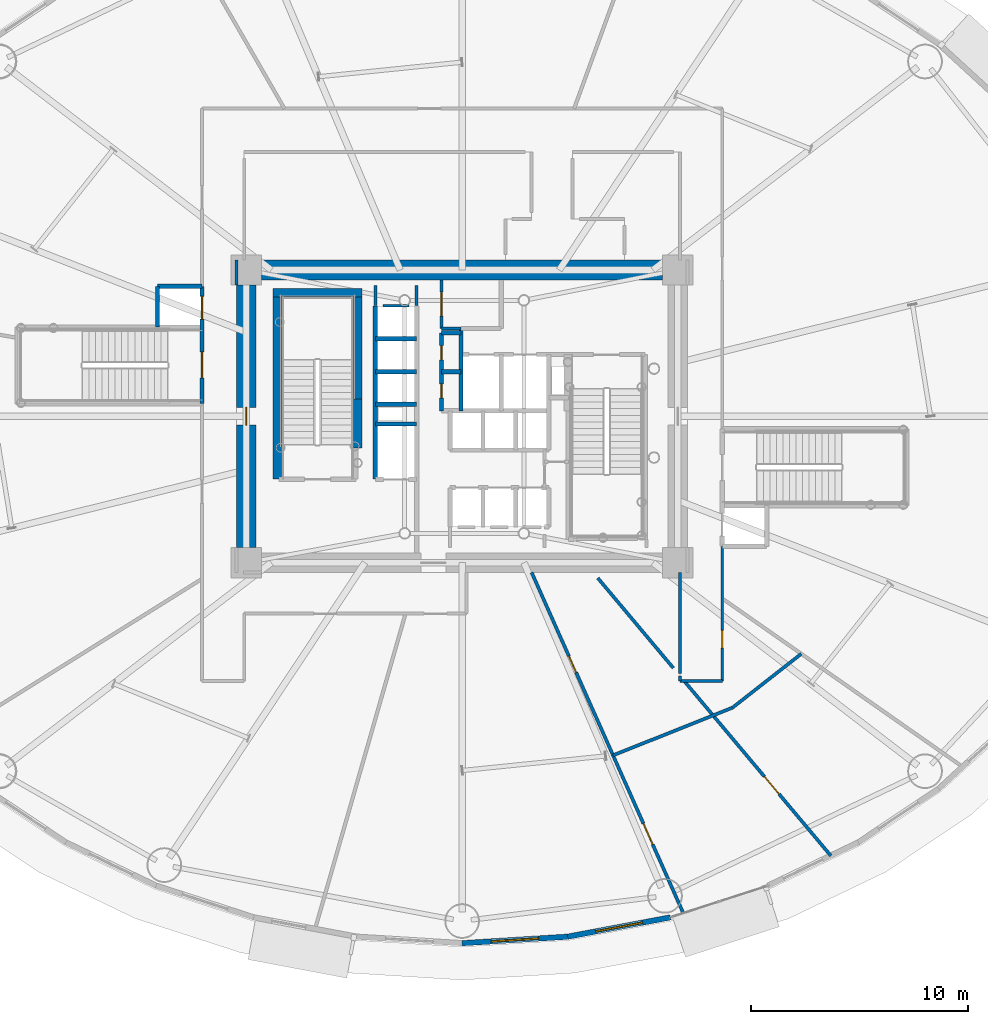
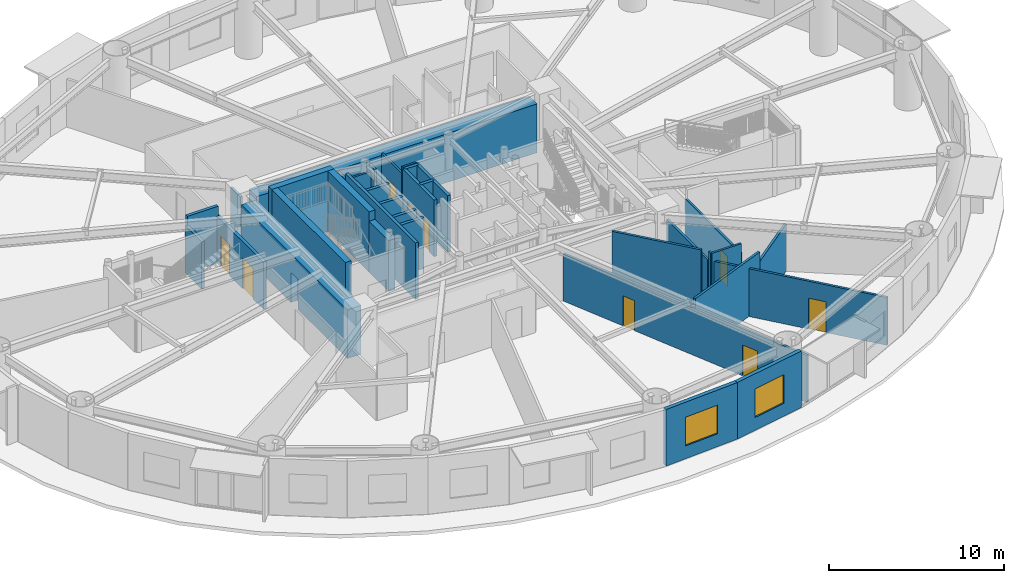
# One storey, part 20 of 35: 35 walls, 10 doors, 2 windows, 12 openings.
"""IFC4 building model written with IfcOpenShell, lengths in metres."""

from ifc_helpers import new_model, si_unit, direction, frame, frame_2d, origin, origin_2d, place, context, subcontext, project, spatial, rectangle, extrude, source, transform, mapped, material, layer, layer_set, type_object, element, fill, save


model = new_model("IFC4")

# Units and contexts
model_context = context("Model", 3, precision=1e-05, world=origin(), true_north=direction((0.0, 1.0)))
body_context = subcontext(model_context, "Body", "Model", "MODEL_VIEW")
ifc_project = project(units=[si_unit("LENGTHUNIT", "METRE"), si_unit("AREAUNIT", "SQUARE_METRE"), si_unit("VOLUMEUNIT", "CUBIC_METRE"), si_unit("PLANEANGLEUNIT", "RADIAN"), si_unit("MASSUNIT", "GRAM", prefix="KILO")], contexts=[model_context])

# Site, building, storey
site_placement = place(None, origin())
site = spatial("IfcSite", under=ifc_project, at=site_placement, CompositionType="ELEMENT")
building_placement = place(site_placement, origin())
building = spatial("IfcBuilding", under=site, at=building_placement, Name="Linh Dai School and Residence Tower", CompositionType="ELEMENT")
storey_placement = place(building_placement, frame((0.0, 0.0, 32.39990234375)))
storey = spatial("IfcBuildingStorey", under=building, at=storey_placement, Name="L07", CompositionType="ELEMENT", Elevation=32.39990234375)

# Wall, opening, window
ifc_material_1 = material(Name="Precast Concrete B45 (C35/45)", Category="concrete")
ifc_layer_1 = layer(ifc_material_1, 0.25)
ifc_layer_set_1 = layer_set([ifc_layer_1], Name="Precast Concrete B45 (C35/45)")
wall_type_1 = type_object("IfcWallType", Name="EW-TC-250", PredefinedType="SOLIDWALL", material=ifc_layer_set_1)
wall_1_placement = place(storey_placement, frame((40.865478515625, 2.994873046875, 0.0), z_axis=(0.0, 0.0, 1.0), x_axis=(-0.998106954071, -0.061502099433, 0.0)))
wall_1 = element("IfcWall", 1, at=wall_1_placement, inside=storey, type_object=wall_type_1, Name="L07 Terracotta Exterior Wall 31", PredefinedType="SOLIDWALL", context=body_context, shape_type="SweptSolid", body=[
    extrude(rectangle(XDim=4.874755859375, YDim=0.25, at=frame_2d((2.4375, 0.0))), origin(), (0.0, 0.0, 1.0), 3.9501953125),
])
opening_1_placement = place(wall_1_placement, frame((1.33740234375, 0.0, 0.89990234375)))
opening_1 = element("IfcOpeningElement", 2, at=opening_1_placement, cuts=wall_1, Name="Opening W4", PredefinedType="OPENING", context=body_context, shape_type="SweptSolid", body=[
    extrude(rectangle(XDim=2.199951171875, YDim=2.0, at=origin_2d()), frame((1.10009765625, 0.135009765625, 1.0), z_axis=(0.0, -1.0, 0.0), x_axis=(1.0, 0.0, 0.0)), (0.0, 0.0, 1.0), 0.27001953125),
])
ifc_material_2 = material(Name="Acoustic Laminated Low-E Glazing", Category="glass")
window_type = type_object("IfcWindowType", Name="WN-SCH-2200x2000", PartitioningType="TRIPLE_PANEL_VERTICAL", PredefinedType="WINDOW", material=ifc_material_2)
shared_shape_1 = source(origin(), body_context, "Body", "SweptSolid", [
    extrude(rectangle(XDim=2.199951171875, YDim=2.0, at=origin_2d()), frame((1.10009765625, 0.030029296875, 1.0), z_axis=(0.0, -1.0, 0.0), x_axis=(1.0, 0.0, 0.0)), (0.0, 0.0, 1.0), 0.06005859375),
])
window_1_placement = place(opening_1_placement, origin())
window_1 = element("IfcWindow", 3, at=window_1_placement, inside=storey, type_object=window_type, Name="L07 Exterior Window 31.1", OverallHeight=2.0, OverallWidth=2.199951171875, PartitioningType="TRIPLE_PANEL_VERTICAL", PredefinedType="WINDOW", context=body_context, shape_type="MappedRepresentation", body=[
    mapped(shared_shape_1, transform((0.0, 0.0, 0.0), x_axis=(1.0, 0.0, 0.0), y_axis=(0.0, 1.0, 0.0), z_axis=(0.0, 0.0, 1.0), scale=1.0)),
])
fill(opening_1, window_1)

wall_2_placement = place(storey_placement, frame((45.610595703125, 3.88671875, 0.0), z_axis=(0.0, 0.0, 1.0), x_axis=(-0.982791952378, -0.184715939598, 0.0)))
wall_2 = element("IfcWall", 4, at=wall_2_placement, inside=storey, type_object=wall_type_1, Name="L07 Terracotta Exterior Wall 32", PredefinedType="SOLIDWALL", context=body_context, shape_type="SweptSolid", body=[
    extrude(rectangle(XDim=4.828125, YDim=0.25, at=frame_2d((2.4140625, 0.0))), origin(), (0.0, 0.0, 1.0), 3.9501953125),
])
opening_2_placement = place(wall_2_placement, frame((1.314208984375, 0.0, 0.89990234375)))
opening_2 = element("IfcOpeningElement", 5, at=opening_2_placement, cuts=wall_2, Name="Opening W4", PredefinedType="OPENING", context=body_context, shape_type="SweptSolid", body=[
    extrude(rectangle(XDim=2.199951171875, YDim=2.0, at=origin_2d()), frame((1.10009765625, 0.135009765625, 1.0), z_axis=(0.0, -1.0, 0.0), x_axis=(1.0, 0.0, 0.0)), (0.0, 0.0, 1.0), 0.27001953125),
])
window_2_placement = place(opening_2_placement, origin())
window_2 = element("IfcWindow", 6, at=window_2_placement, inside=storey, type_object=window_type, Name="L07 Exterior Window 32.1", OverallHeight=2.0, OverallWidth=2.199951171875, PartitioningType="TRIPLE_PANEL_VERTICAL", PredefinedType="WINDOW", context=body_context, shape_type="MappedRepresentation", body=[
    mapped(shared_shape_1, transform((0.0, 0.0, 0.0), x_axis=(1.0, 0.0, 0.0), y_axis=(0.0, 1.0, 0.0), z_axis=(0.0, 0.0, 1.0), scale=1.0)),
])
fill(opening_2, window_2)

# Wall, opening, door
ifc_material_3 = material(Name="Autoclaved Aerated Concrete Blockwork", Category="masonry")
ifc_layer_2 = layer(ifc_material_3, 0.135009765625)
ifc_layer_set_2 = layer_set([ifc_layer_2], Name="Autoclaved Aerated Concrete Blockwork")
wall_type_2 = type_object("IfcWallType", Name="IW-CORR-135-EI90", PredefinedType="PARTITIONING", material=ifc_layer_set_2)
wall_3_placement = place(storey_placement, frame((35.050048828125, 31.050048828125, 0.0), z_axis=(0.0, 0.0, 1.0), x_axis=(0.0, 1.0, 0.0)))
wall_3 = element("IfcWall", 7, at=wall_3_placement, inside=storey, type_object=wall_type_2, Name="L07 Interior Partition Wall 030", PredefinedType="PARTITIONING", context=body_context, shape_type="SweptSolid", body=[
    extrude(rectangle(XDim=2.25, YDim=0.135009765625, at=frame_2d((1.125, 0.0))), origin(), (0.0, 0.0, 1.0), 3.53515625),
])
opening_3_placement = place(wall_3_placement, frame((0.574951171875, 0.0, 0.0)))
opening_3 = element("IfcOpeningElement", 8, at=opening_3_placement, cuts=wall_3, Name="Opening D07", PredefinedType="OPENING", context=body_context, shape_type="SweptSolid", body=[
    extrude(rectangle(XDim=1.10009765625, YDim=2.14990234375, at=origin_2d()), frame((0.550048828125, 0.07763671875, 1.074951171875), z_axis=(0.0, -1.0, 0.0), x_axis=(1.0, 0.0, 0.0)), (0.0, 0.0, 1.0), 0.155029296875),
])
ifc_material_4 = material(Name="Fire-Rated Louvred Steel Plant Door", Category="steel")
door_type_1 = type_object("IfcDoorType", Name="DR-PLT-1100x2150-FD60S", OperationType="NOTDEFINED", PredefinedType="DOOR", material=ifc_material_4)
shared_shape_2 = source(origin(), body_context, "Body", "SweptSolid", [
    extrude(rectangle(XDim=1.10009765625, YDim=2.14990234375, at=origin_2d()), frame((0.550048828125, 0.02490234375, 1.074951171875), z_axis=(0.0, -1.0, 0.0), x_axis=(1.0, 0.0, 0.0)), (0.0, 0.0, 1.0), 0.050048828125),
])
door_1_placement = place(opening_3_placement, origin())
door_1 = element("IfcDoor", 9, at=door_1_placement, inside=storey, type_object=door_type_1, Name="L07 North Telecom Switchroom Door", OperationType="SINGLE_SWING_LEFT", OverallHeight=2.14990234375, OverallWidth=1.10009765625, PredefinedType="DOOR", context=body_context, shape_type="MappedRepresentation", body=[
    mapped(shared_shape_2, transform((0.0, 0.0, 0.0), x_axis=(1.0, 0.0, 0.0), y_axis=(0.0, 1.0, 0.0), z_axis=(0.0, 0.0, 1.0), scale=1.0)),
])
fill(opening_3, door_1)

# Walls
wall_4_placement = place(storey_placement, frame((35.050048828125, 31.050048828125, 0.0), z_axis=(0.0, 0.0, 1.0), x_axis=(1.0, 0.0, 0.0)))
element("IfcWall", 10, at=wall_4_placement, inside=storey, type_object=wall_type_2, Name="L07 Interior Partition Wall 031", PredefinedType="PARTITIONING", context=body_context, shape_type="SweptSolid", body=[
    extrude(rectangle(XDim=0.89990234375, YDim=0.135009765625, at=frame_2d((0.449951171875, 0.0))), origin(), (0.0, 0.0, 1.0), 3.9501953125),
])
wall_5_placement = place(storey_placement, frame((46.050048828125, 14.800048828125, 0.0), z_axis=(0.0, 0.0, 1.0), x_axis=(0.0, 1.0, 0.0)))
element("IfcWall", 11, at=wall_5_placement, inside=storey, type_object=wall_type_2, Name="L07 Interior Partition Wall 058", PredefinedType="PARTITIONING", context=body_context, shape_type="SweptSolid", body=[
    extrude(rectangle(XDim=0.222900390625, YDim=0.135009765625, at=frame_2d((0.111328125, 0.0))), origin(), (0.0, 0.0, 1.0), 3.9501953125),
])
wall_6_placement = place(storey_placement, frame((46.050048828125, 14.800048828125, 0.0), z_axis=(0.0, 0.0, 1.0), x_axis=(1.0, 0.0, 0.0)))
element("IfcWall", 12, at=wall_6_placement, inside=storey, type_object=wall_type_2, Name="L07 Interior Partition Wall 059", PredefinedType="PARTITIONING", context=body_context, shape_type="SweptSolid", body=[
    extrude(rectangle(XDim=1.949951171875, YDim=0.135009765625, at=frame_2d((0.97509765625, 0.0))), origin(), (0.0, 0.0, 1.0), 3.9501953125),
])

# Wall, opening, door
wall_7_placement = place(storey_placement, frame((48.0, 14.800048828125, 0.0), z_axis=(0.0, 0.0, 1.0), x_axis=(0.0, 1.0, 0.0)))
wall_7 = element("IfcWall", 13, at=wall_7_placement, inside=storey, type_object=wall_type_2, Name="L07 Interior Partition Wall 061", PredefinedType="PARTITIONING", context=body_context, shape_type="SweptSolid", body=[
    extrude(rectangle(XDim=6.199951171875, YDim=0.135009765625, at=frame_2d((3.10009765625, 0.0))), origin(), (0.0, 0.0, 1.0), 3.28515625),
])
opening_4_placement = place(wall_7_placement, frame((1.5087890625, 0.0, 0.0)))
opening_4 = element("IfcOpeningElement", 14, at=opening_4_placement, cuts=wall_7, Name="Opening D06", PredefinedType="OPENING", context=body_context, shape_type="SweptSolid", body=[
    extrude(rectangle(XDim=0.820068359375, YDim=2.10009765625, at=origin_2d()), frame((0.41015625, 0.07763671875, 1.050048828125), z_axis=(0.0, -1.0, 0.0), x_axis=(1.0, 0.0, 0.0)), (0.0, 0.0, 1.0), 0.155029296875),
])
ifc_material_5 = material(Name="Moisture-Resistant Timber Bathroom Door", Category="wood")
door_type_2 = type_object("IfcDoorType", Name="DR-WET-820x2100", OperationType="NOTDEFINED", PredefinedType="DOOR", material=ifc_material_5)
shared_shape_3 = source(origin(), body_context, "Body", "SweptSolid", [
    extrude(rectangle(XDim=0.820068359375, YDim=2.10009765625, at=origin_2d()), frame((0.41015625, 0.02490234375, 1.050048828125), z_axis=(0.0, -1.0, 0.0), x_axis=(1.0, 0.0, 0.0)), (0.0, 0.0, 1.0), 0.050048828125),
])
door_2_placement = place(opening_4_placement, origin())
door_2 = element("IfcDoor", 15, at=door_2_placement, inside=storey, type_object=door_type_2, Name="L07 Tower School Girls WC Door", OperationType="SINGLE_SWING_RIGHT", OverallHeight=2.10009765625, OverallWidth=0.820068359375, PredefinedType="DOOR", context=body_context, shape_type="MappedRepresentation", body=[
    mapped(shared_shape_3, transform((0.0, 0.0, 0.0), x_axis=(1.0, 0.0, 0.0), y_axis=(0.0, 1.0, 0.0), z_axis=(0.0, 0.0, 1.0), scale=1.0)),
])
fill(opening_4, door_2)

# Walls
wall_8_placement = place(storey_placement, frame((32.360107421875, 32.10009765625, 0.0), z_axis=(0.0, 0.0, 1.0), x_axis=(1.0, 0.0, 0.0)))
element("IfcWall", 16, at=wall_8_placement, inside=storey, type_object=wall_type_2, Name="L07 Interior Partition Wall 075", PredefinedType="PARTITIONING", context=body_context, shape_type="SweptSolid", body=[
    extrude(rectangle(XDim=1.179931640625, YDim=0.135009765625, at=frame_2d((0.58984375, 0.0))), origin(), (0.0, 0.0, 1.0), 3.53515625),
])
wall_9_placement = place(storey_placement, frame((32.0, 33.0400390625, 0.0), z_axis=(0.0, 0.0, 1.0), x_axis=(0.0, -1.0, 0.0)))
element("IfcWall", 17, at=wall_9_placement, inside=storey, type_object=wall_type_2, Name="L07 Interior Partition Wall 077", PredefinedType="PARTITIONING", context=body_context, shape_type="SweptSolid", body=[
    extrude(rectangle(XDim=0.929931640625, YDim=0.135009765625, at=frame_2d((0.46484375, 0.0))), origin(), (0.0, 0.0, 1.0), 3.485107421875),
])
wall_10_placement = place(storey_placement, frame((33.89990234375, 32.110107421875, 0.0), z_axis=(0.0, 0.0, 1.0), x_axis=(0.0, 1.0, 0.0)))
element("IfcWall", 18, at=wall_10_placement, inside=storey, type_object=wall_type_2, Name="L07 Interior Partition Wall 080", PredefinedType="PARTITIONING", context=body_context, shape_type="SweptSolid", body=[
    extrude(rectangle(XDim=0.929931640625, YDim=0.135009765625, at=frame_2d((0.46484375, 0.0))), origin(), (0.0, 0.0, 1.0), 3.53515625),
])
wall_11_placement = place(storey_placement, frame((46.050048828125, 15.12744140625, 0.0), z_axis=(0.0, 0.0, 1.0), x_axis=(0.0, 1.0, 0.0)))
element("IfcWall", 19, at=wall_11_placement, inside=storey, type_object=wall_type_2, Name="L07 Interior Partition Wall 081", PredefinedType="PARTITIONING", context=body_context, shape_type="SweptSolid", body=[
    extrude(rectangle(XDim=4.672607421875, YDim=0.135009765625, at=frame_2d((2.33642578125, 0.0))), origin(), (0.0, 0.0, 1.0), 3.28515625),
])
wall_12_placement = place(storey_placement, frame((25.60009765625, 34.199951171875, 0.0), z_axis=(0.0, 0.0, 1.0), x_axis=(0.0, -1.0, 0.0)))
element("IfcWall", 20, at=wall_12_placement, inside=storey, type_object=wall_type_2, Name="L07 Interior Partition Wall 094", PredefinedType="PARTITIONING", context=body_context, shape_type="SweptSolid", body=[
    extrude(rectangle(XDim=1.139892578125, YDim=0.135009765625, at=frame_2d((0.56982421875, 0.0))), origin(), (0.0, 0.0, 1.0), 3.9501953125),
])

# Wall, openings, doors
ifc_layer_3 = layer(ifc_material_3, 0.14990234375)
ifc_layer_set_3 = layer_set([ifc_layer_3], Name="Autoclaved Aerated Concrete Blockwork")
wall_type_3 = type_object("IfcWallType", Name="IW-SCH-150-EI60", PredefinedType="PARTITIONING", material=ifc_layer_set_3)
wall_13_placement = place(storey_placement, frame((39.20556640625, 19.800048828125, 0.0), z_axis=(0.0, 0.0, 1.0), x_axis=(0.406734516924, -0.913546404263, 0.0)))
wall_13 = element("IfcWall", 21, at=wall_13_placement, inside=storey, type_object=wall_type_3, Name="L07 Interior Partition Wall 046", PredefinedType="PARTITIONING", context=body_context, shape_type="SweptSolid", body=[
    extrude(rectangle(XDim=17.213134765625, YDim=0.14990234375, at=frame_2d((8.6064453125, 0.0))), origin(), (0.0, 0.0, 1.0), 3.28515625),
])
opening_5_placement = place(wall_13_placement, frame((4.227783203125, 0.0, 0.0)))
opening_5 = element("IfcOpeningElement", 22, at=opening_5_placement, cuts=wall_13, Name="Opening D06", PredefinedType="OPENING", context=body_context, shape_type="SweptSolid", body=[
    extrude(rectangle(XDim=0.820068359375, YDim=2.10009765625, at=origin_2d()), frame((0.41015625, 0.0849609375, 1.050048828125), z_axis=(0.0, -1.0, 0.0), x_axis=(1.0, 0.0, 0.0)), (0.0, 0.0, 1.0), 0.169921875),
])
opening_6_placement = place(wall_13_placement, frame((12.679443359375, 0.0, 0.0)))
opening_6 = element("IfcOpeningElement", 23, at=opening_6_placement, cuts=wall_13, Name="Opening D04", PredefinedType="OPENING", context=body_context, shape_type="SweptSolid", body=[
    extrude(rectangle(XDim=1.050048828125, YDim=2.14990234375, at=origin_2d()), frame((0.52490234375, 0.0849609375, 1.074951171875), z_axis=(0.0, -1.0, 0.0), x_axis=(1.0, 0.0, 0.0)), (0.0, 0.0, 1.0), 0.169921875),
])
ifc_material_6 = material(Name="Acoustic Vision-Panel Timber Classroom Door", Category="wood")
door_type_3 = type_object("IfcDoorType", Name="DR-SCH-1050x2150-FD60S", OperationType="NOTDEFINED", PredefinedType="DOOR", material=ifc_material_6)
shared_shape_4 = source(origin(), body_context, "Body", "SweptSolid", [
    extrude(rectangle(XDim=1.050048828125, YDim=2.14990234375, at=origin_2d()), frame((0.52490234375, 0.02490234375, 1.074951171875), z_axis=(0.0, -1.0, 0.0), x_axis=(1.0, 0.0, 0.0)), (0.0, 0.0, 1.0), 0.050048828125),
])
door_3_placement = place(opening_6_placement, origin())
door_3 = element("IfcDoor", 24, at=door_3_placement, inside=storey, type_object=door_type_3, Name="L07 Resource Study Room BWC Door", OperationType="SINGLE_SWING_LEFT", OverallHeight=2.14990234375, OverallWidth=1.050048828125, PredefinedType="DOOR", context=body_context, shape_type="MappedRepresentation", body=[
    mapped(shared_shape_4, transform((0.0, 0.0, 0.0), x_axis=(1.0, 0.0, 0.0), y_axis=(0.0, 1.0, 0.0), z_axis=(0.0, 0.0, 1.0), scale=1.0)),
])
fill(opening_6, door_3)
door_4_placement = place(opening_5_placement, origin())
door_4 = element("IfcDoor", 25, at=door_4_placement, inside=storey, type_object=door_type_2, Name="L07 Tower School Boys WC Door", OperationType="SINGLE_SWING_RIGHT", OverallHeight=2.10009765625, OverallWidth=0.820068359375, PredefinedType="DOOR", context=body_context, shape_type="MappedRepresentation", body=[
    mapped(shared_shape_3, transform((0.0, 0.0, 0.0), x_axis=(1.0, 0.0, 0.0), y_axis=(0.0, 1.0, 0.0), z_axis=(0.0, 0.0, 1.0), scale=1.0)),
])
fill(opening_5, door_4)

# Wall
wall_14_placement = place(storey_placement, frame((42.962158203125, 11.36279296875, 0.0), z_axis=(0.0, 0.0, 1.0), x_axis=(0.928814161578, 0.370545885487, 0.0)))
element("IfcWall", 26, at=wall_14_placement, inside=storey, type_object=wall_type_3, Name="L07 Interior Partition Wall 056", PredefinedType="PARTITIONING", context=body_context, shape_type="SweptSolid", body=[
    extrude(rectangle(XDim=5.930419921875, YDim=0.14990234375, at=frame_2d((2.96533203125, 0.0))), origin(), (0.0, 0.0, 1.0), 3.9501953125),
])

# Wall, opening, door
wall_15_placement = place(storey_placement, frame((46.237060546875, 14.800048828125, 0.0), z_axis=(0.0, 0.0, 1.0), x_axis=(0.642781648826, -0.766049444835, 0.0)))
wall_15 = element("IfcWall", 27, at=wall_15_placement, inside=storey, type_object=wall_type_3, Name="L07 Interior Partition Wall 060", PredefinedType="PARTITIONING", context=body_context, shape_type="SweptSolid", body=[
    extrude(rectangle(XDim=10.53466796875, YDim=0.14990234375, at=frame_2d((5.267333984375, 0.0))), origin(), (0.0, 0.0, 1.0), 3.335205078125),
])
opening_7_placement = place(wall_15_placement, frame((5.76416015625, 0.0, 0.0)))
opening_7 = element("IfcOpeningElement", 28, at=opening_7_placement, cuts=wall_15, Name="Opening D04", PredefinedType="OPENING", context=body_context, shape_type="SweptSolid", body=[
    extrude(rectangle(XDim=1.050048828125, YDim=2.14990234375, at=origin_2d()), frame((0.52490234375, 0.0849609375, 1.074951171875), z_axis=(0.0, -1.0, 0.0), x_axis=(1.0, 0.0, 0.0)), (0.0, 0.0, 1.0), 0.169921875),
])
door_5_placement = place(opening_7_placement, origin())
door_5 = element("IfcDoor", 29, at=door_5_placement, inside=storey, type_object=door_type_3, Name="L07 Resource Study Room GWC Door", OperationType="SINGLE_SWING_LEFT", OverallHeight=2.14990234375, OverallWidth=1.050048828125, PredefinedType="DOOR", context=body_context, shape_type="MappedRepresentation", body=[
    mapped(shared_shape_4, transform((0.0, 0.0, 0.0), x_axis=(1.0, 0.0, 0.0), y_axis=(0.0, 1.0, 0.0), z_axis=(0.0, 0.0, 1.0), scale=1.0)),
])
fill(opening_7, door_5)

# Walls
wall_16_placement = place(storey_placement, frame((48.470458984375, 13.560302734375, 0.0), z_axis=(0.0, 0.0, 1.0), x_axis=(0.787349065848, 0.616507460221, 0.0)))
element("IfcWall", 30, at=wall_16_placement, inside=storey, type_object=wall_type_3, Name="L07 Interior Partition Wall 068", PredefinedType="PARTITIONING", context=body_context, shape_type="SweptSolid", body=[
    extrude(rectangle(XDim=4.03125, YDim=0.14990234375, at=frame_2d((2.015625, 0.0))), origin(), (0.0, 0.0, 1.0), 3.28515625),
])
wall_17_placement = place(storey_placement, frame((42.259765625, 19.5400390625, 0.0), z_axis=(0.0, 0.0, 1.0), x_axis=(0.642773520502, -0.766056265128, 0.0)))
element("IfcWall", 31, at=wall_17_placement, inside=storey, type_object=wall_type_3, Name="L07 Interior Partition Wall 097", PredefinedType="PARTITIONING", context=body_context, shape_type="SweptSolid", body=[
    extrude(rectangle(XDim=5.418212890625, YDim=0.14990234375, at=frame_2d((2.708984375, 0.0))), origin(), (0.0, 0.0, 1.0), 3.9501953125),
])
ifc_material_7 = material(Name="Concrete B45 (C35/45)", Category="concrete")
ifc_layer_4 = layer(ifc_material_7, 0.199951171875)
ifc_layer_set_4 = layer_set([ifc_layer_4], Name="Concrete B45 (C35/45)")
wall_type_4 = type_object("IfcWallType", Name="IW-SHAFT-200-EI120", PredefinedType="PARTITIONING", material=ifc_layer_set_4)
wall_18_placement = place(storey_placement, frame((21.949951171875, 31.1201171875, 0.0), z_axis=(0.0, 0.0, 1.0), x_axis=(0.0, 1.0, 0.0)))
element("IfcWall", 32, at=wall_18_placement, inside=storey, type_object=wall_type_4, Name="L07 Interior Partition Wall 006", PredefinedType="PARTITIONING", context=body_context, shape_type="SweptSolid", body=[
    extrude(rectangle(XDim=1.8798828125, YDim=0.199951171875, at=frame_2d((0.93994140625, 0.0))), origin(), (0.0, 0.0, 1.0), 3.28515625),
])
wall_19_placement = place(storey_placement, frame((21.949951171875, 33.0, 0.0), z_axis=(0.0, 0.0, 1.0), x_axis=(1.0, 0.0, 0.0)))
element("IfcWall", 33, at=wall_19_placement, inside=storey, type_object=wall_type_4, Name="L07 Interior Partition Wall 007", PredefinedType="PARTITIONING", context=body_context, shape_type="SweptSolid", body=[
    extrude(rectangle(XDim=2.050048828125, YDim=0.199951171875, at=frame_2d((1.02490234375, 0.0))), origin(), (0.0, 0.0, 1.0), 3.9501953125),
])

# Wall, openings, doors
wall_20_placement = place(storey_placement, frame((24.0, 27.590087890625, 0.0), z_axis=(0.0, 0.0, 1.0), x_axis=(0.0, 1.0, 0.0)))
wall_20 = element("IfcWall", 34, at=wall_20_placement, inside=storey, type_object=wall_type_4, Name="L07 Interior Partition Wall 011", PredefinedType="PARTITIONING", context=body_context, shape_type="SweptSolid", body=[
    extrude(rectangle(XDim=5.409912109375, YDim=0.199951171875, at=frame_2d((2.705078125, 0.0))), origin(), (0.0, 0.0, 1.0), 3.28515625),
])
opening_8_placement = place(wall_20_placement, frame((1.18505859375, 0.0, 0.0)))
opening_8 = element("IfcOpeningElement", 35, at=opening_8_placement, cuts=wall_20, Name="Opening D01", PredefinedType="OPENING", context=body_context, shape_type="SweptSolid", body=[
    extrude(rectangle(XDim=1.199951171875, YDim=2.14990234375, at=origin_2d()), frame((0.60009765625, 0.10986328125, 1.074951171875), z_axis=(0.0, -1.0, 0.0), x_axis=(1.0, 0.0, 0.0)), (0.0, 0.0, 1.0), 0.219970703125),
])
opening_9_placement = place(wall_20_placement, frame((3.889892578125, 0.0, 0.0)))
opening_9 = element("IfcOpeningElement", 36, at=opening_9_placement, cuts=wall_20, Name="Opening LD-SL1", PredefinedType="OPENING", context=body_context, shape_type="SweptSolid", body=[
    extrude(rectangle(XDim=1.050048828125, YDim=2.14990234375, at=origin_2d()), frame((0.52490234375, 0.10986328125, 1.074951171875), z_axis=(0.0, -1.0, 0.0), x_axis=(1.0, 0.0, 0.0)), (0.0, 0.0, 1.0), 0.219970703125),
])
ifc_material_8 = material(Name="Fire-Rated Steel Door Leaf", Category="steel")
door_type_4 = type_object("IfcDoorType", Name="DR-STAIR-1200x2150-FD90S", OperationType="NOTDEFINED", PredefinedType="DOOR", material=ifc_material_8)
shared_shape_5 = source(origin(), body_context, "Body", "SweptSolid", [
    extrude(rectangle(XDim=1.199951171875, YDim=2.14990234375, at=origin_2d()), frame((0.60009765625, 0.02490234375, 1.074951171875), z_axis=(0.0, -1.0, 0.0), x_axis=(1.0, 0.0, 0.0)), (0.0, 0.0, 1.0), 0.050048828125),
])
door_6_placement = place(opening_8_placement, origin())
door_6 = element("IfcDoor", 37, at=door_6_placement, inside=storey, type_object=door_type_4, Name="L07 Exit Stair STS1 Door", OperationType="SINGLE_SWING_LEFT", OverallHeight=2.14990234375, OverallWidth=1.199951171875, PredefinedType="DOOR", context=body_context, shape_type="MappedRepresentation", body=[
    mapped(shared_shape_5, transform((0.0, 0.0, 0.0), x_axis=(1.0, 0.0, 0.0), y_axis=(0.0, 1.0, 0.0), z_axis=(0.0, 0.0, 1.0), scale=1.0)),
])
fill(opening_8, door_6)
ifc_material_9 = material(Name="Brushed Stainless Steel Lift Landing Door", Category="steel")
door_type_5 = type_object("IfcDoorType", Name="DR-LD-PASS-1050x2150", OperationType="DOUBLE_DOOR_SLIDING", PredefinedType="USERDEFINED", material=ifc_material_9)
shared_shape_6 = source(origin(), body_context, "Body", "SweptSolid", [
    extrude(rectangle(XDim=1.050048828125, YDim=2.14990234375, at=origin_2d()), frame((0.52490234375, 0.02490234375, 1.074951171875), z_axis=(0.0, -1.0, 0.0), x_axis=(1.0, 0.0, 0.0)), (0.0, 0.0, 1.0), 0.050048828125),
])
door_7_placement = place(opening_9_placement, origin())
door_7 = element("IfcDoor", 38, at=door_7_placement, inside=storey, type_object=door_type_5, Name="L07 Lift SL1 Sliding Landing Door", ObjectType="LANDING DOOR", OperationType="DOUBLE_DOOR_SLIDING", OverallHeight=2.14990234375, OverallWidth=1.050048828125, PredefinedType="USERDEFINED", context=body_context, shape_type="MappedRepresentation", body=[
    mapped(shared_shape_6, transform((0.0, 0.0, 0.0), x_axis=(1.0, 0.0, 0.0), y_axis=(0.0, 1.0, 0.0), z_axis=(0.0, 0.0, 1.0), scale=1.0)),
])
fill(opening_9, door_7)

# Walls
wall_21_placement = place(storey_placement, frame((32.0, 24.10009765625, 0.0), z_axis=(0.0, 0.0, 1.0), x_axis=(0.0, 1.0, 0.0)))
element("IfcWall", 39, at=wall_21_placement, inside=storey, type_object=wall_type_4, Name="L07 Interior Partition Wall 019", PredefinedType="PARTITIONING", context=body_context, shape_type="SweptSolid", body=[
    extrude(rectangle(XDim=8.0, YDim=0.199951171875, at=frame_2d((4.0, 0.0))), origin(), (0.0, 0.0, 1.0), 3.9501953125),
])
for number, where, z_axis, x_axis, name in (
    (40, (32.0, 26.64990234375, 0.0), (0.0, 0.0, 1.0), (1.0, 0.0, 0.0), "L07 Interior Partition Wall 021"),
    (41, (32.0, 27.550048828125, 0.0), (0.0, 0.0, 1.0), (1.0, 0.0, 0.0), "L07 Interior Partition Wall 022"),
    (42, (32.0, 29.06005859375, 0.0), (0.0, 0.0, 1.0), (1.0, 0.0, 0.0), "L07 Interior Partition Wall 023"),
    (43, (32.0, 30.580078125, 0.0), (0.0, 0.0, 1.0), (1.0, 0.0, 0.0), "L07 Interior Partition Wall 024"),
):
    element("IfcWall", number, at=place(storey_placement, frame(where, z_axis=z_axis, x_axis=x_axis)), inside=storey, type_object=wall_type_4, Name=name, PredefinedType="PARTITIONING", context=body_context, shape_type="SweptSolid", body=[
        extrude(rectangle(XDim=1.89990234375, YDim=0.199951171875, at=frame_2d((0.949951171875, 0.0))), origin(), (0.0, 0.0, 1.0), 3.53515625),
    ])

# Wall, openings, doors
wall_22_placement = place(storey_placement, frame((35.050048828125, 27.25, 0.0), z_axis=(0.0, 0.0, 1.0), x_axis=(0.0, 1.0, 0.0)))
wall_22 = element("IfcWall", 44, at=wall_22_placement, inside=storey, type_object=wall_type_4, Name="L07 Interior Partition Wall 026", PredefinedType="PARTITIONING", context=body_context, shape_type="SweptSolid", body=[
    extrude(rectangle(XDim=3.60009765625, YDim=0.199951171875, at=frame_2d((1.800048828125, 0.0))), origin(), (0.0, 0.0, 1.0), 3.9501953125),
])
opening_10_placement = place(wall_22_placement, frame((0.590087890625, 0.0, 0.0)))
opening_10 = element("IfcOpeningElement", 45, at=opening_10_placement, cuts=wall_22, Name="Opening AD1", PredefinedType="OPENING", context=body_context, shape_type="SweptSolid", body=[
    extrude(rectangle(XDim=0.659912109375, YDim=2.050048828125, at=origin_2d()), frame((0.330078125, 0.10986328125, 1.02490234375), z_axis=(0.0, -1.0, 0.0), x_axis=(1.0, 0.0, 0.0)), (0.0, 0.0, 1.0), 0.219970703125),
])
opening_11_placement = place(wall_22_placement, frame((2.35009765625, 0.0, 0.0)))
opening_11 = element("IfcOpeningElement", 46, at=opening_11_placement, cuts=wall_22, Name="Opening AD1", PredefinedType="OPENING", context=body_context, shape_type="SweptSolid", body=[
    extrude(rectangle(XDim=0.659912109375, YDim=2.050048828125, at=origin_2d()), frame((0.330078125, 0.10986328125, 1.02490234375), z_axis=(0.0, -1.0, 0.0), x_axis=(1.0, 0.0, 0.0)), (0.0, 0.0, 1.0), 0.219970703125),
])
ifc_material_10 = material(Name="Fire-Rated Steel Riser Access Door", Category="steel")
door_type_6 = type_object("IfcDoorType", Name="DR-ACC-660x2050-FD90S", OperationType="NOTDEFINED", PredefinedType="USERDEFINED", material=ifc_material_10)
shared_shape_7 = source(origin(), body_context, "Body", "SweptSolid", [
    extrude(rectangle(XDim=0.659912109375, YDim=2.050048828125, at=origin_2d()), frame((0.330078125, 0.02490234375, 1.02490234375), z_axis=(0.0, -1.0, 0.0), x_axis=(1.0, 0.0, 0.0)), (0.0, 0.0, 1.0), 0.050048828125),
])
door_8_placement = place(opening_10_placement, origin())
door_8 = element("IfcDoor", 47, at=door_8_placement, inside=storey, type_object=door_type_6, Name="L07 Telecom and Data Riser Access Door", ObjectType="ACCESS DOOR", OperationType="SINGLE_SWING_LEFT", OverallHeight=2.050048828125, OverallWidth=0.659912109375, PredefinedType="USERDEFINED", context=body_context, shape_type="MappedRepresentation", body=[
    mapped(shared_shape_7, transform((0.0, 0.0, 0.0), x_axis=(1.0, 0.0, 0.0), y_axis=(0.0, 1.0, 0.0), z_axis=(0.0, 0.0, 1.0), scale=1.0)),
])
fill(opening_10, door_8)
door_9_placement = place(opening_11_placement, origin())
door_9 = element("IfcDoor", 48, at=door_9_placement, inside=storey, type_object=door_type_6, Name="L07 Mechanical and Plumbing Riser Access Door", ObjectType="ACCESS DOOR", OperationType="SINGLE_SWING_RIGHT", OverallHeight=2.050048828125, OverallWidth=0.659912109375, PredefinedType="USERDEFINED", context=body_context, shape_type="MappedRepresentation", body=[
    mapped(shared_shape_7, transform((0.0, 0.0, 0.0), x_axis=(1.0, 0.0, 0.0), y_axis=(0.0, 1.0, 0.0), z_axis=(0.0, 0.0, 1.0), scale=1.0)),
])
fill(opening_11, door_9)

# Walls
for number, where, z_axis, x_axis, name in (
    (49, (35.050048828125, 29.050048828125, 0.0), (0.0, 0.0, 1.0), (1.0, 0.0, 0.0), "L07 Interior Partition Wall 028"),
    (50, (35.050048828125, 30.85009765625, 0.0), (0.0, 0.0, 1.0), (1.0, 0.0, 0.0), "L07 Interior Partition Wall 029"),
):
    element("IfcWall", number, at=place(storey_placement, frame(where, z_axis=z_axis, x_axis=x_axis)), inside=storey, type_object=wall_type_4, Name=name, PredefinedType="PARTITIONING", context=body_context, shape_type="SweptSolid", body=[
        extrude(rectangle(XDim=0.89990234375, YDim=0.199951171875, at=frame_2d((0.449951171875, 0.0))), origin(), (0.0, 0.0, 1.0), 3.9501953125),
    ])
wall_23_placement = place(storey_placement, frame((35.949951171875, 27.25, 0.0), z_axis=(0.0, 0.0, 1.0), x_axis=(0.0, 1.0, 0.0)))
element("IfcWall", 51, at=wall_23_placement, inside=storey, type_object=wall_type_4, Name="L07 Interior Partition Wall 036", PredefinedType="PARTITIONING", context=body_context, shape_type="SweptSolid", body=[
    extrude(rectangle(XDim=3.800048828125, YDim=0.199951171875, at=frame_2d((1.89990234375, 0.0))), origin(), (0.0, 0.0, 1.0), 3.9501953125),
])
ifc_layer_5 = layer(ifc_material_7, 0.39990234375)
ifc_layer_set_5 = layer_set([ifc_layer_5], Name="Concrete B45 (C35/45)")
wall_type_5 = type_object("IfcWallType", Name="WL-CORE400", PredefinedType="SHEAR", material=ifc_layer_set_5)
wall_24_placement = place(storey_placement, frame((27.47998046875, 24.10009765625, 0.0), z_axis=(0.0, 0.0, 1.0), x_axis=(0.0, 1.0, 0.0)))
element("IfcWall", 52, at=wall_24_placement, inside=storey, type_object=wall_type_5, Name="L07 Core Stair ST1 Bearing Wall W", PredefinedType="SHEAR", context=body_context, shape_type="SweptSolid", body=[
    extrude(rectangle(XDim=8.599853515625, YDim=0.39990234375, at=frame_2d((4.2998046875, 0.0))), origin(), (0.0, 0.0, 1.0), 4.2001953125),
])
wall_25_placement = place(storey_placement, frame((31.179931640625, 27.800048828125, 0.0), z_axis=(0.0, 0.0, 1.0), x_axis=(0.0, 1.0, 0.0)))
element("IfcWall", 53, at=wall_25_placement, inside=storey, type_object=wall_type_5, Name="L07 Core Stair ST1 Bearing Wall E", PredefinedType="SHEAR", context=body_context, shape_type="SweptSolid", body=[
    extrude(rectangle(XDim=4.89990234375, YDim=0.39990234375, at=frame_2d((2.449951171875, 0.0))), origin(), (0.0, 0.0, 1.0), 4.2001953125),
])
wall_26_placement = place(storey_placement, frame((27.280029296875, 32.699951171875, 0.0), z_axis=(0.0, 0.0, 1.0), x_axis=(1.0, 0.0, 0.0)))
element("IfcWall", 54, at=wall_26_placement, inside=storey, type_object=wall_type_5, Name="L07 Core Stair ST1 Bearing Wall N", PredefinedType="SHEAR", context=body_context, shape_type="SweptSolid", body=[
    extrude(rectangle(XDim=4.099853515625, YDim=0.39990234375, at=frame_2d((2.0498046875, 0.0))), origin(), (0.0, 0.0, 1.0), 4.2001953125),
])
wall_27_placement = place(storey_placement, frame((31.179931640625, 25.550048828125, 0.0), z_axis=(0.0, 0.0, 1.0), x_axis=(0.0, 1.0, 0.0)))
element("IfcWall", 55, at=wall_27_placement, inside=storey, type_object=wall_type_5, Name="L07 Internal Core Shear Wall IW", PredefinedType="SHEAR", context=body_context, shape_type="SweptSolid", body=[
    extrude(rectangle(XDim=2.25, YDim=0.39990234375, at=frame_2d((1.125, 0.0))), origin(), (0.0, 0.0, 1.0), 3.550048828125),
])
ifc_material_11 = material(Name="Concrete B60 (C50/60)", Category="concrete")
ifc_layer_6 = layer(ifc_material_11, 0.89990234375)
ifc_layer_set_6 = layer_set([ifc_layer_6], Name="Concrete B60 (C50/60)")
wall_type_6 = type_object("IfcWallType", Name="WL-CORE900", PredefinedType="SHEAR", material=ifc_layer_set_6)
wall_28_placement = place(storey_placement, frame((26.75, 33.75, 0.0), z_axis=(0.0, 0.0, 1.0), x_axis=(1.0, 0.0, 0.0)))
element("IfcWall", 56, at=wall_28_placement, inside=storey, type_object=wall_type_6, Name="L07 Central Core Shear Wall N", PredefinedType="SHEAR", context=body_context, shape_type="SweptSolid", body=[
    extrude(rectangle(XDim=18.5, YDim=0.89990234375, at=frame_2d((9.25, 0.0))), origin(), (0.0, 0.0, 1.0), 3.400146484375),
])

# Wall, opening, door
wall_29_placement = place(storey_placement, frame((26.050048828125, 20.949951171875, 0.0), z_axis=(0.0, 0.0, 1.0), x_axis=(0.0, 1.0, 0.0)))
wall_29 = element("IfcWall", 57, at=wall_29_placement, inside=storey, type_object=wall_type_6, Name="L07 Central Core Shear Wall W", PredefinedType="SHEAR", context=body_context, shape_type="SweptSolid", body=[
    extrude(rectangle(XDim=12.10009765625, YDim=0.89990234375, at=frame_2d((6.050048828125, 0.0))), origin(), (0.0, 0.0, 1.0), 3.400146484375),
])
opening_12_placement = place(wall_29_placement, frame((5.639892578125, 0.0, 0.0)))
opening_12 = element("IfcOpeningElement", 58, at=opening_12_placement, cuts=wall_29, Name="Opening D06", PredefinedType="OPENING", context=body_context, shape_type="SweptSolid", body=[
    extrude(rectangle(XDim=0.820068359375, YDim=2.10009765625, at=origin_2d()), frame((0.41015625, 0.4599609375, 1.050048828125), z_axis=(0.0, -1.0, 0.0), x_axis=(1.0, 0.0, 0.0)), (0.0, 0.0, 1.0), 0.919921875),
])
door_10_placement = place(opening_12_placement, origin())
door_10 = element("IfcDoor", 59, at=door_10_placement, inside=storey, type_object=door_type_2, Name="L07 Firefighting Lobby Door", OperationType="SINGLE_SWING_RIGHT", OverallHeight=2.10009765625, OverallWidth=0.820068359375, PredefinedType="DOOR", context=body_context, shape_type="MappedRepresentation", body=[
    mapped(shared_shape_3, transform((0.0, 0.0, 0.0), x_axis=(1.0, 0.0, 0.0), y_axis=(0.0, 1.0, 0.0), z_axis=(0.0, 0.0, 1.0), scale=1.0)),
])
fill(opening_12, door_10)

save(model, "model.ifc")
